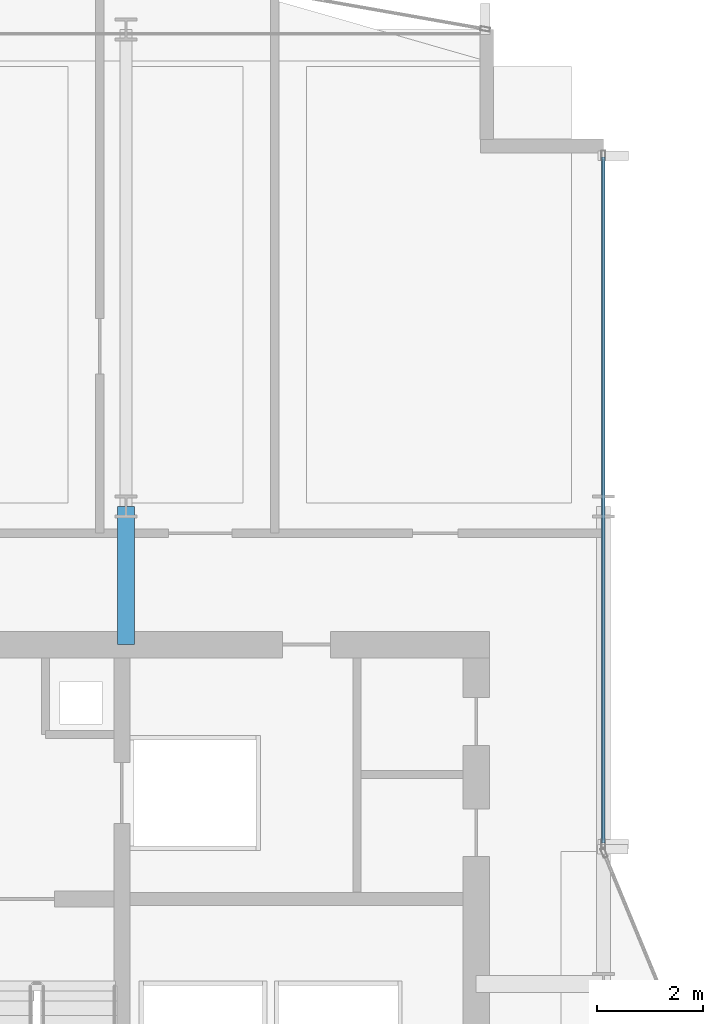
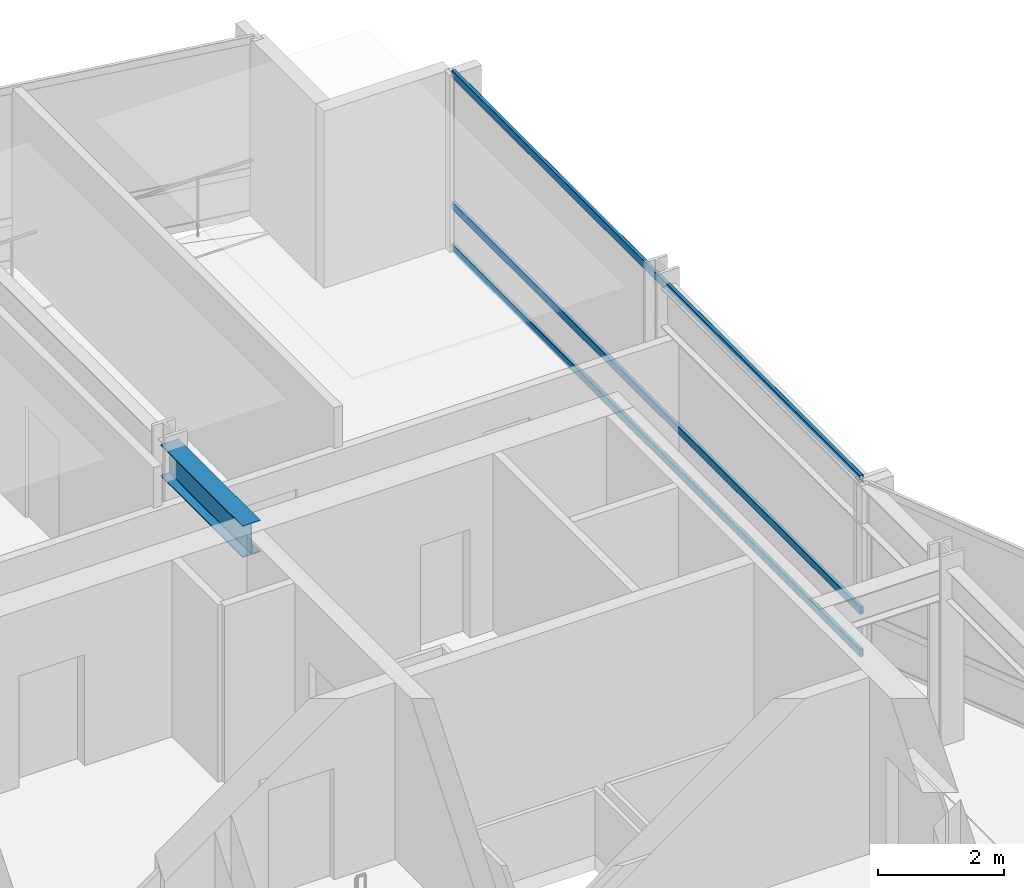
# One storey, part 18 of 29: 3 members, 1 beam, 1 element without a shape of its own.
"""IFC4 building model written with IfcOpenShell, lengths in metres."""

from ifc_helpers import new_model, si_unit, direction, frame, origin, origin_2d, place, context, subcontext, project, spatial, hollow_rectangle, i_section, extrude, material, layer, layer_set, material_profile, profile_set, type_object, element, aggregate, save


model = new_model("IFC4")

# Units and contexts
model_context = context("Model", 3, precision=1e-05, world=origin(), true_north=direction((0.0, 1.0)))
body_context = subcontext(model_context, "Body", "Model", "MODEL_VIEW")
ifc_project = project(units=[si_unit("LENGTHUNIT", "METRE"), si_unit("AREAUNIT", "SQUARE_METRE"), si_unit("VOLUMEUNIT", "CUBIC_METRE"), si_unit("PLANEANGLEUNIT", "RADIAN"), si_unit("MASSUNIT", "GRAM", prefix="KILO")], contexts=[model_context])

# Site, building, storey
site_placement = place(None, origin())
site = spatial("IfcSite", under=ifc_project, at=site_placement, CompositionType="ELEMENT")
building_placement = place(site_placement, origin())
building = spatial("IfcBuilding", under=site, at=building_placement, Name="Solvaryn Broadcast Tower", CompositionType="ELEMENT")
storey_placement = place(building_placement, frame((0.0, 0.0, 139.60009765625)))
storey = spatial("IfcBuildingStorey", under=building, at=storey_placement, Name="L34", CompositionType="ELEMENT", Elevation=139.60009765625)

# Beam
ifc_material_1 = material(Name="Steel ASTM A992 Grade 50", Category="steel")
ifc_material_profile_1 = material_profile(ifc_material_1, i_section(OverallWidth=0.323974609375, OverallDepth=0.611083984375, WebThickness=0.0126953125, FlangeThickness=0.01904296875, FilletRadius=0.014892578125, at=origin_2d()))
ifc_profile_set_1 = profile_set([ifc_material_profile_1], Name="Steel ASTM A992 Grade 50")
beam_type = type_object("IfcBeamType", Name="BM-B1-W24X104", PredefinedType="BEAM", material=ifc_profile_set_1)
beam_placement = place(storey_placement, frame((18.0, 42.39990234375, 3.114501953125), z_axis=(0.0, 1.0, 0.0), x_axis=(-1.0, 0.0, 0.0)))
element("IfcBeam", 1, at=beam_placement, inside=storey, type_object=beam_type, Name="L34 Core Tie Beam CTW3", PredefinedType="BEAM", context=body_context, shape_type="SweptSolid", body=[
    extrude(i_section(OverallWidth=0.323974609375, OverallDepth=0.611083984375, WebThickness=0.0126953125, FlangeThickness=0.01904296875, FilletRadius=0.014892578125, at=origin_2d()), origin(), (0.0, 0.0, 1.0), 2.60009765625),
])

# Curtain wall, members
ifc_material_2 = material(Name="Aluminium and Terracotta Unitised Curtain Wall", Category="masonry")
ifc_layer = layer(ifc_material_2, 0.199951171875)
ifc_layer_set = layer_set([ifc_layer], Name="CW-SYS2-LOWMID")
curtain_wall_type = type_object("IfcCurtainWallType", Name="CW-SYS2-LOWMID", PredefinedType="NOTDEFINED", material=ifc_layer_set)
curtain_wall_placement = place(storey_placement, origin())
curtain_wall = element("IfcCurtainWall", 2, at=curtain_wall_placement, inside=storey, type_object=curtain_wall_type, Name="L34 Curtain Wall IV", PredefinedType="NOTDEFINED")
ifc_material_3 = material(Name="Anodised Aluminium 6063-T6", Category="aluminium")
ifc_material_profile_2 = material_profile(ifc_material_3, hollow_rectangle(XDim=0.06494140625, YDim=0.14990234375, WallThickness=0.00390625, InnerFilletRadius=0.00390625, OuterFilletRadius=0.008056640625, at=origin_2d()))
ifc_profile_set_2 = profile_set([ifc_material_profile_2], Name="Anodised Aluminium 6063-T6")
member_type = type_object("IfcMemberType", Name="CW-TRN-150", PredefinedType="USERDEFINED", material=ifc_profile_set_2)
member_1_placement = place(storey_placement, frame((27.0, 51.590087890625, 0.02978515625), z_axis=(0.0, -1.0, 0.0), x_axis=(1.0, 0.0, 0.0)))
member_1 = element("IfcMember", 3, at=member_1_placement, type_object=member_type, Name="CWS2 transom 1.1", ObjectType="TRANSOM", PredefinedType="USERDEFINED", context=body_context, shape_type="SweptSolid", body=[
    extrude(hollow_rectangle(XDim=0.06494140625, YDim=0.14990234375, WallThickness=0.00390625, InnerFilletRadius=0.00390625, OuterFilletRadius=0.008056640625, at=origin_2d()), origin(), (0.0, 0.0, 1.0), 12.93017578125),
])
member_2_placement = place(storey_placement, frame((27.0, 51.590087890625, 0.849853515625), z_axis=(0.0, -1.0, 0.0), x_axis=(1.0, 0.0, 0.0)))
member_2 = element("IfcMember", 4, at=member_2_placement, type_object=member_type, Name="CWS2 transom 1.2", ObjectType="TRANSOM", PredefinedType="USERDEFINED", context=body_context, shape_type="SweptSolid", body=[
    extrude(hollow_rectangle(XDim=0.06494140625, YDim=0.14990234375, WallThickness=0.00390625, InnerFilletRadius=0.00390625, OuterFilletRadius=0.008056640625, at=origin_2d()), origin(), (0.0, 0.0, 1.0), 12.93017578125),
])
member_3_placement = place(storey_placement, frame((27.0, 51.590087890625, 3.389892578125), z_axis=(0.0, -1.0, 0.0), x_axis=(1.0, 0.0, 0.0)))
member_3 = element("IfcMember", 5, at=member_3_placement, type_object=member_type, Name="CWS2 transom 1.3", ObjectType="TRANSOM", PredefinedType="USERDEFINED", context=body_context, shape_type="SweptSolid", body=[
    extrude(hollow_rectangle(XDim=0.06494140625, YDim=0.14990234375, WallThickness=0.00390625, InnerFilletRadius=0.00390625, OuterFilletRadius=0.008056640625, at=origin_2d()), origin(), (0.0, 0.0, 1.0), 12.93017578125),
])
aggregate(curtain_wall, [member_1, member_2, member_3])

save(model, "model.ifc")
